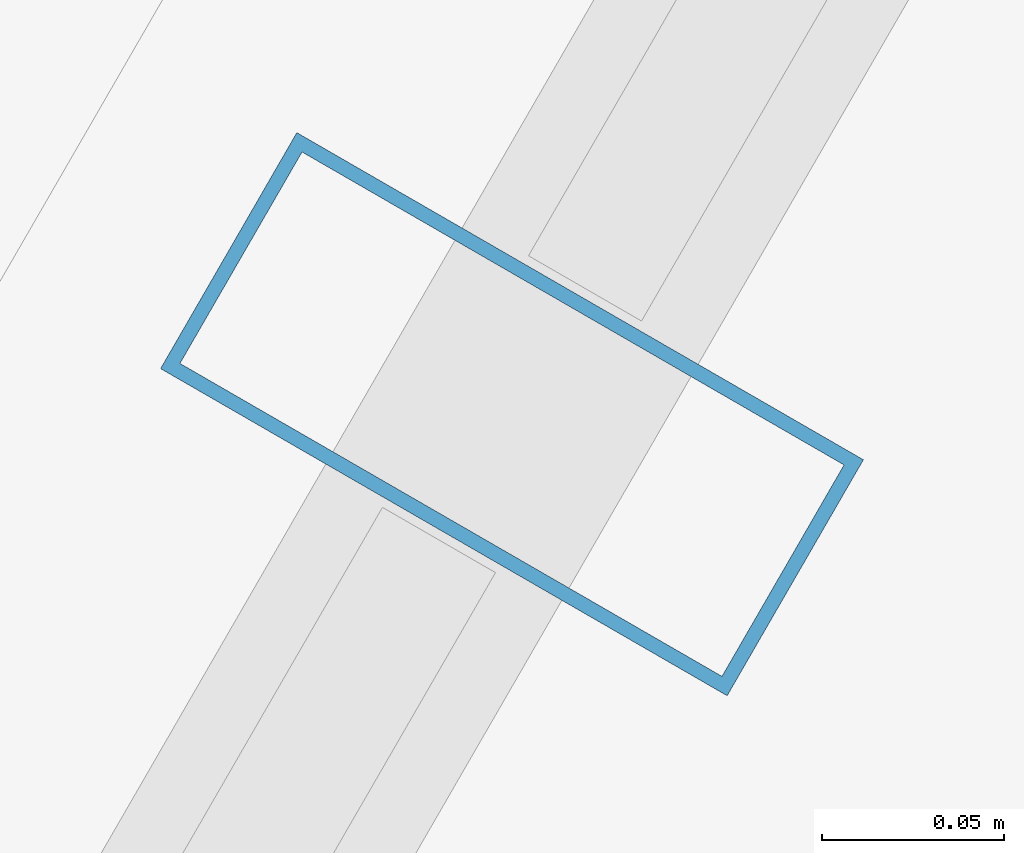
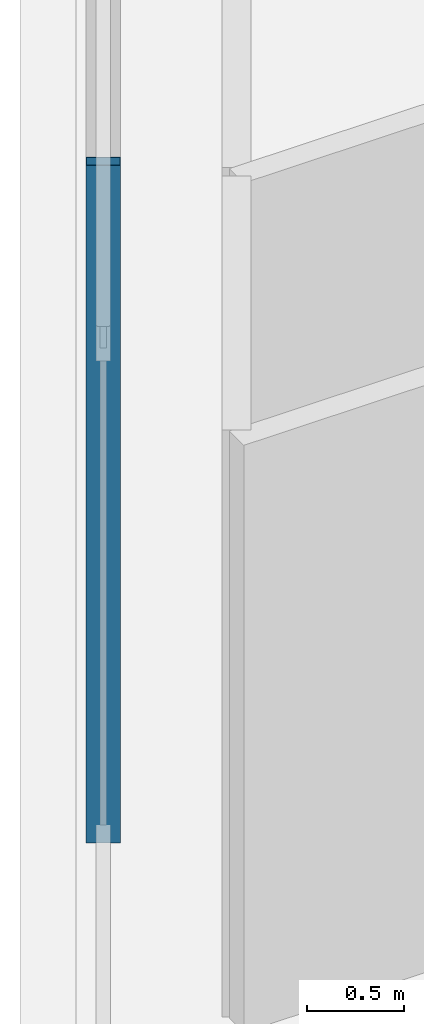
# One storey, part 5 of 32: 1 member, 1 element without a shape of its own.
"""IFC4 building model written with IfcOpenShell, lengths in metres."""

from ifc_helpers import new_model, si_unit, direction, frame, origin, origin_2d, place, context, subcontext, project, spatial, hollow_rectangle, extrude, material, layer, layer_set, material_profile, profile_set, type_object, element, aggregate, save


model = new_model("IFC4")

# Units and contexts
model_context = context("Model", 3, precision=1e-05, world=origin(), true_north=direction((0.0, 1.0)))
body_context = subcontext(model_context, "Body", "Model", "MODEL_VIEW")
ifc_project = project(units=[si_unit("LENGTHUNIT", "METRE"), si_unit("AREAUNIT", "SQUARE_METRE"), si_unit("VOLUMEUNIT", "CUBIC_METRE"), si_unit("PLANEANGLEUNIT", "RADIAN"), si_unit("MASSUNIT", "GRAM", prefix="KILO")], contexts=[model_context])

# Site, building, storey
site_placement = place(None, origin())
site = spatial("IfcSite", under=ifc_project, at=site_placement, CompositionType="ELEMENT")
building_placement = place(site_placement, origin())
building = spatial("IfcBuilding", under=site, at=building_placement, Name="Ndaravel Arena Tower", CompositionType="ELEMENT")
storey_placement = place(building_placement, frame((0.0, 0.0, 278.800048828125)))
storey = spatial("IfcBuildingStorey", under=building, at=storey_placement, Name="L68", CompositionType="ELEMENT", Elevation=278.800048828125)

# Curtain wall, member
ifc_material_1 = material(Name="Aluminium", Category="aluminium")
ifc_layer = layer(ifc_material_1, 0.179931640625)
ifc_layer_set = layer_set([ifc_layer], Name="Aluminium")
curtain_wall_type = type_object("IfcCurtainWallType", Name="CW-SYS-03", PredefinedType="NOTDEFINED", material=ifc_layer_set)
curtain_wall_placement = place(storey_placement, origin())
curtain_wall = element("IfcCurtainWall", 1, at=curtain_wall_placement, inside=storey, type_object=curtain_wall_type, Name="L68 Faceted Crystal Curtain Wall CW-L68-E05", PredefinedType="NOTDEFINED")
ifc_material_2 = material(Name="Aluminium", Category="aluminium")
ifc_material_profile = material_profile(ifc_material_2, hollow_rectangle(XDim=0.074951171875, YDim=0.179931640625, WallThickness=0.00390625, at=origin_2d()), Name="CW MULLION 75x180x4")
ifc_profile_set = profile_set([ifc_material_profile], Name="Aluminium")
member_type = type_object("IfcMemberType", Name="MEM-CW-MUL180", PredefinedType="MULLION", material=ifc_profile_set)
member_placement = place(storey_placement, frame((24.0732421875, 16.9541015625, 0.0), z_axis=(0.0, 0.0, 1.0), x_axis=(-0.5, -0.866025403784, 0.0)))
member = element("IfcMember", 2, at=member_placement, type_object=member_type, Name="CW-L68-E05 Mullion 07", PredefinedType="MULLION", context=body_context, shape_type="SweptSolid", body=[
    extrude(hollow_rectangle(XDim=0.074951171875, YDim=0.179931640625, WallThickness=0.00390625, at=origin_2d()), origin(), (0.0, 0.0, 1.0), 4.280029296875),
])
aggregate(curtain_wall, [member])

save(model, "model.ifc")
